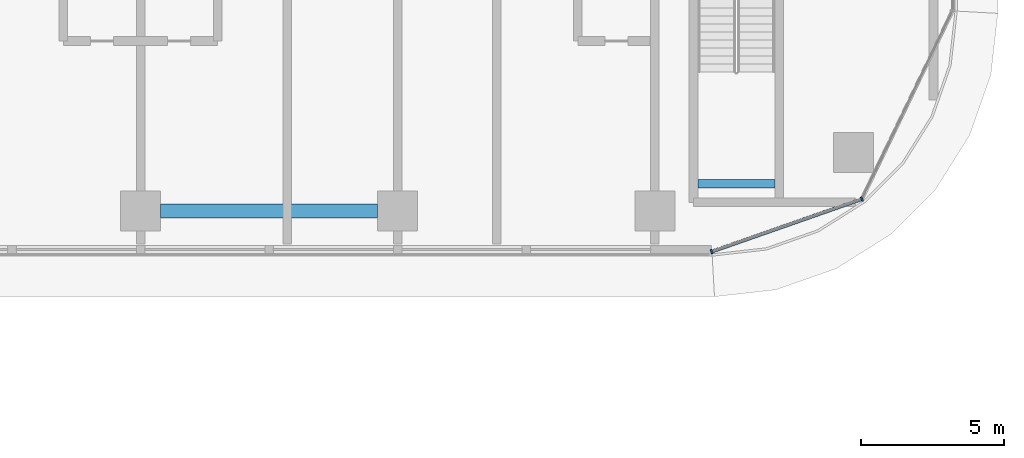
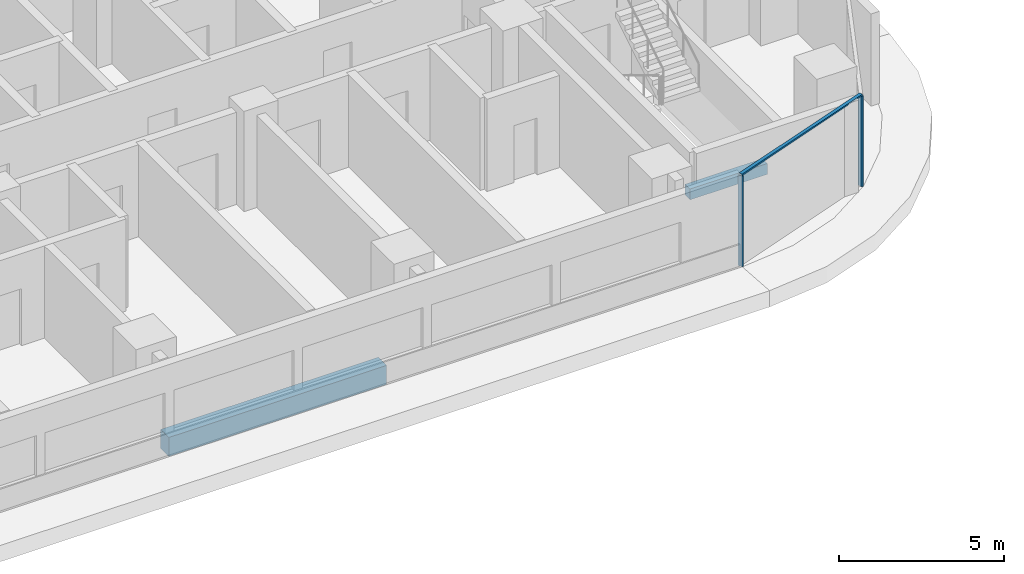
# One storey, part 3 of 36: 3 members, 2 beams, 1 element without a shape of its own.
"""IFC4 building model written with IfcOpenShell, lengths in metres."""

from ifc_helpers import new_model, si_unit, direction, frame, origin, origin_2d, place, context, subcontext, project, spatial, rectangle, extrude, material, material_profile, profile_set, type_object, element, aggregate, save


model = new_model("IFC4")

# Units and contexts
model_context = context("Model", 3, precision=1e-05, world=origin(), true_north=direction((0.0, 1.0)))
body_context = subcontext(model_context, "Body", "Model", "MODEL_VIEW")
ifc_project = project(units=[si_unit("LENGTHUNIT", "METRE"), si_unit("AREAUNIT", "SQUARE_METRE"), si_unit("VOLUMEUNIT", "CUBIC_METRE"), si_unit("PLANEANGLEUNIT", "RADIAN"), si_unit("MASSUNIT", "GRAM", prefix="KILO")], contexts=[model_context])

# Site, building, storey
site_placement = place(None, origin())
site = spatial("IfcSite", under=ifc_project, at=site_placement, CompositionType="ELEMENT")
building_placement = place(site_placement, origin())
building = spatial("IfcBuilding", under=site, at=building_placement, Name="Ogive Portal Towers", CompositionType="ELEMENT")
storey_placement = place(building_placement, frame((0.0, 0.0, 70.5)))
storey = spatial("IfcBuildingStorey", under=building, at=storey_placement, Name="L16", CompositionType="ELEMENT", Elevation=70.5)

# Beam
ifc_material_1 = material(Name="Concrete C40/50", Category="concrete")
ifc_material_profile_1 = material_profile(ifc_material_1, rectangle(XDim=0.300048828125, YDim=0.39990234375, at=origin_2d()), Name="RC 300x400")
ifc_profile_set_1 = profile_set([ifc_material_profile_1], Name="Concrete C40/50")
beam_type_1 = type_object("IfcBeamType", Name="BEAM RC 300x400", PredefinedType="BEAM", material=ifc_profile_set_1)
beam_1_placement = place(storey_placement, frame((87.0, 22.449951171875, 1.449951171875), z_axis=(1.0, 0.0, 0.0), x_axis=(0.0, 1.0, 0.0)))
element("IfcBeam", 1, at=beam_1_placement, inside=storey, type_object=beam_type_1, Name="Landing beam L16", PredefinedType="BEAM", context=body_context, shape_type="SweptSolid", body=[
    extrude(rectangle(XDim=0.300048828125, YDim=0.39990234375, at=origin_2d()), origin(), (0.0, 0.0, 1.0), 2.699951171875),
])

# Curtain wall, members
ifc_material_2 = material(Name="Glass, clear low-iron insulated glazing", Category="glass")
curtain_wall_type = type_object("IfcCurtainWallType", Name="CW FRONT RIBBON 4500", PredefinedType="NOTDEFINED", material=ifc_material_2)
curtain_wall_placement = place(storey_placement, origin())
curtain_wall = element("IfcCurtainWall", 2, at=curtain_wall_placement, inside=storey, type_object=curtain_wall_type, Name="A:L16:f07:cwa", PredefinedType="NOTDEFINED")
ifc_material_3 = material(Name="Aluminium 6063 anodised", Category="aluminium")
ifc_material_profile_2 = material_profile(ifc_material_3, rectangle(XDim=0.159912109375, YDim=0.06005859375, at=origin_2d()), Name="AL 60x160")
ifc_profile_set_2 = profile_set([ifc_material_profile_2], Name="Aluminium 6063 anodised")
member_type_1 = type_object("IfcMemberType", Name="CW MULLION 60x160", PredefinedType="MULLION", material=ifc_profile_set_2)
member_1_placement = place(storey_placement, frame((87.486328125, 20.080078125, 0.0), z_axis=(0.0, 0.0, 1.0), x_axis=(-0.33027906196, 0.943883330307, 0.0)))
member_1 = element("IfcMember", 3, at=member_1_placement, type_object=member_type_1, Name="mullion", PredefinedType="MULLION", context=body_context, shape_type="SweptSolid", body=[
    extrude(rectangle(XDim=0.159912109375, YDim=0.06005859375, at=origin_2d()), origin(), (0.0, 0.0, 1.0), 3.340087890625),
])
member_2_placement = place(storey_placement, frame((92.741943359375, 21.9189453125, 0.0), z_axis=(0.0, 0.0, 1.0), x_axis=(-0.33027906196, 0.943883330307, 0.0)))
member_2 = element("IfcMember", 4, at=member_2_placement, type_object=member_type_1, Name="mullion", PredefinedType="MULLION", context=body_context, shape_type="SweptSolid", body=[
    extrude(rectangle(XDim=0.159912109375, YDim=0.06005859375, at=origin_2d()), origin(), (0.0, 0.0, 1.0), 3.340087890625),
])
ifc_material_profile_3 = material_profile(ifc_material_3, rectangle(XDim=0.1201171875, YDim=0.06005859375, at=origin_2d()), Name="AL 120x60")
ifc_profile_set_3 = profile_set([ifc_material_profile_3], Name="Aluminium 6063 anodised")
member_type_2 = type_object("IfcMemberType", Name="CW TRANSOM 60x120", PredefinedType="USERDEFINED", material=ifc_profile_set_3)
member_3_placement = place(storey_placement, frame((87.486328125, 20.080078125, 3.3701171875), z_axis=(0.943891847017, 0.330254721593, 0.0), x_axis=(-0.330254721593, 0.943891847017, 0.0)))
member_3 = element("IfcMember", 5, at=member_3_placement, type_object=member_type_2, Name="transom", ObjectType="TRANSOM", PredefinedType="USERDEFINED", context=body_context, shape_type="SweptSolid", body=[
    extrude(rectangle(XDim=0.1201171875, YDim=0.06005859375, at=origin_2d()), origin(), (0.0, 0.0, 1.0), 5.568115234375),
])
aggregate(curtain_wall, [member_3, member_1, member_2])

# Beam
ifc_material_profile_4 = material_profile(ifc_material_1, rectangle(XDim=0.5, YDim=0.699951171875, at=origin_2d()), Name="RC 500x700")
ifc_profile_set_4 = profile_set([ifc_material_profile_4], Name="Concrete C40/50")
beam_type_2 = type_object("IfcBeamType", Name="SPANDREL BEAM RC 500x700", PredefinedType="BEAM", material=ifc_profile_set_4)
beam_2_placement = place(storey_placement, frame((75.800048828125, 21.5, -0.64990234375), z_axis=(-1.0, 0.0, 0.0), x_axis=(0.0, -1.0, 0.0)))
element("IfcBeam", 6, at=beam_2_placement, inside=storey, type_object=beam_type_2, Name="Spandrel beam L16", PredefinedType="BEAM", context=body_context, shape_type="SweptSolid", body=[
    extrude(rectangle(XDim=0.5, YDim=0.699951171875, at=origin_2d()), origin(), (0.0, 0.0, 1.0), 7.60009765625),
])

save(model, "model.ifc")
